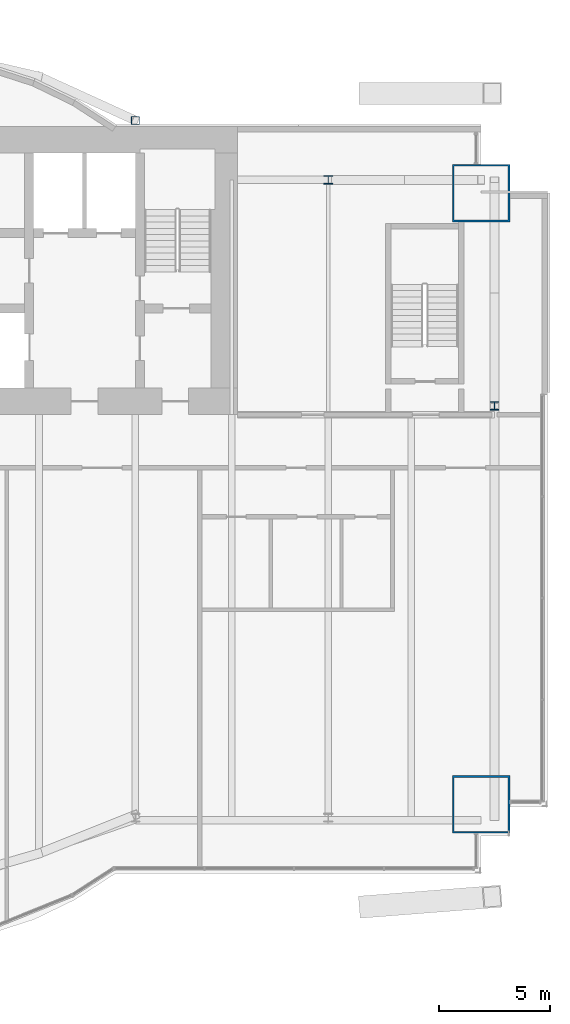
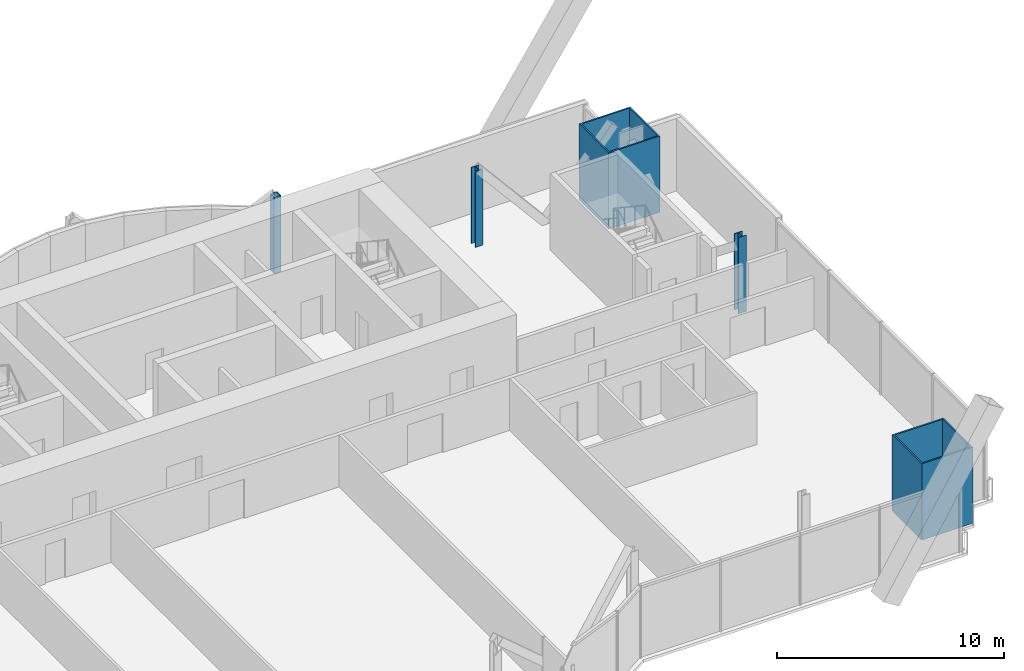
# One storey, part 4 of 21: 5 columns.
"""IFC4 building model written with IfcOpenShell, lengths in metres."""

from ifc_helpers import new_model, si_unit, direction, frame, origin, origin_2d, place, context, subcontext, project, spatial, hollow_rectangle, i_section, extrude, material, material_profile, profile_set, type_object, element, save


model = new_model("IFC4")

# Units and contexts
model_context = context("Model", 3, precision=1e-05, world=origin(), true_north=direction((0.0, 1.0)))
body_context = subcontext(model_context, "Body", "Model", "MODEL_VIEW")
ifc_project = project(units=[si_unit("LENGTHUNIT", "METRE"), si_unit("AREAUNIT", "SQUARE_METRE"), si_unit("VOLUMEUNIT", "CUBIC_METRE"), si_unit("PLANEANGLEUNIT", "RADIAN"), si_unit("MASSUNIT", "GRAM", prefix="KILO")], contexts=[model_context])

# Site, building, storey
site_placement = place(None, origin())
site = spatial("IfcSite", under=ifc_project, at=site_placement, CompositionType="ELEMENT")
building_placement = place(site_placement, origin())
building = spatial("IfcBuilding", under=site, at=building_placement, Name="Bicima Exchange Tower", CompositionType="ELEMENT")
storey_placement = place(building_placement, frame((0.0, 0.0, 181.39990234375)))
storey = spatial("IfcBuildingStorey", under=building, at=storey_placement, Name="L40", CompositionType="ELEMENT", Elevation=181.39990234375)

# Columns
ifc_material_1 = material(Name="Steel ASTM A572 Gr 50", Category="steel")
ifc_material_profile_1 = material_profile(ifc_material_1, hollow_rectangle(XDim=2.60009765625, YDim=2.60009765625, WallThickness=0.080078125, at=origin_2d()))
ifc_profile_set_1 = profile_set([ifc_material_profile_1], Name="Steel ASTM A572 Gr 50")
column_type_1 = type_object("IfcColumnType", Name="Mega column BOX 2600x2600x80", PredefinedType="COLUMN", material=ifc_profile_set_1)
for number, where, z_axis, x_axis, name in (
    (1, (33.0, -30.58203125, 0.0), (0.0, 0.0, 1.0), (1.0, 0.0, 0.0), "Mega column mega+33.0f"),
    (2, (33.0, -3.0, 0.0), (0.0, 0.0, 1.0), (1.0, 0.0, 0.0), "Mega column mega+33.0r"),
):
    element("IfcColumn", number, at=place(storey_placement, frame(where, z_axis=z_axis, x_axis=x_axis)), inside=storey, type_object=column_type_1, Name=name, PredefinedType="COLUMN", context=body_context, shape_type="SweptSolid", body=[
        extrude(hollow_rectangle(XDim=2.60009765625, YDim=2.60009765625, WallThickness=0.080078125, at=origin_2d()), origin(), (0.0, 0.0, 1.0), 4.10009765625),
    ])
ifc_material_2 = material(Name="Steel ASTM A992 Gr 50", Category="steel")
ifc_material_profile_2 = material_profile(ifc_material_2, i_section(OverallWidth=0.396240234375, OverallDepth=0.381103515625, WebThickness=0.01904296875, FlangeThickness=0.0302734375, at=origin_2d()))
ifc_profile_set_2 = profile_set([ifc_material_profile_2], Name="Steel ASTM A992 Gr 50")
column_type_2 = type_object("IfcColumnType", Name="Perimeter column W14x159", PredefinedType="COLUMN", material=ifc_profile_set_2)
for number, where, z_axis, x_axis, name in (
    (3, (26.10009765625, -2.39990234375, 0.0), (0.0, 0.0, 1.0), (1.0, 0.0, 0.0), "Perimeter column grav+26.1r"),
    (4, (33.60009765625, -12.60009765625, 0.0), (0.0, 0.0, 1.0), (1.0, 0.0, 0.0), "End column end+33.6e"),
):
    element("IfcColumn", number, at=place(storey_placement, frame(where, z_axis=z_axis, x_axis=x_axis)), inside=storey, type_object=column_type_2, Name=name, PredefinedType="COLUMN", context=body_context, shape_type="SweptSolid", body=[
        extrude(i_section(OverallWidth=0.396240234375, OverallDepth=0.381103515625, WebThickness=0.01904296875, FlangeThickness=0.0302734375, at=origin_2d()), origin(), (0.0, 0.0, 1.0), 4.10009765625),
    ])
ifc_material_profile_3 = material_profile(ifc_material_1, hollow_rectangle(XDim=0.355712890625, YDim=0.355712890625, WallThickness=0.01171875, at=origin_2d()))
ifc_profile_set_3 = profile_set([ifc_material_profile_3], Name="Steel ASTM A572 Gr 50")
column_type_3 = type_object("IfcColumnType", Name="Rear pilaster HSS14x14x1/2", PredefinedType="COLUMN", material=ifc_profile_set_3)
column_placement = place(storey_placement, frame((17.39990234375, 0.278076171875, 0.0), z_axis=(0.0, 0.0, 1.0), x_axis=(1.0, 0.0, 0.0)))
element("IfcColumn", 5, at=column_placement, inside=storey, type_object=column_type_3, Name="Rear pilaster rexo+17.4r", PredefinedType="COLUMN", context=body_context, shape_type="SweptSolid", body=[
    extrude(hollow_rectangle(XDim=0.355712890625, YDim=0.355712890625, WallThickness=0.01171875, at=origin_2d()), origin(), (0.0, 0.0, 1.0), 4.10009765625),
])

save(model, "model.ifc")
